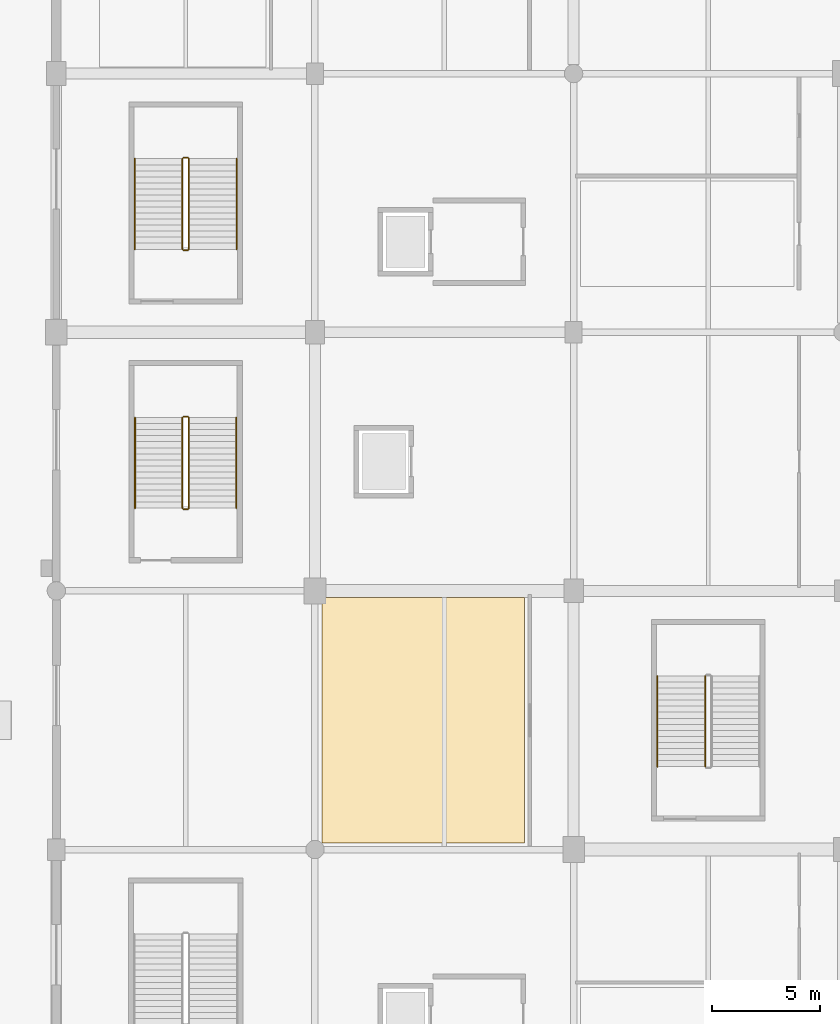
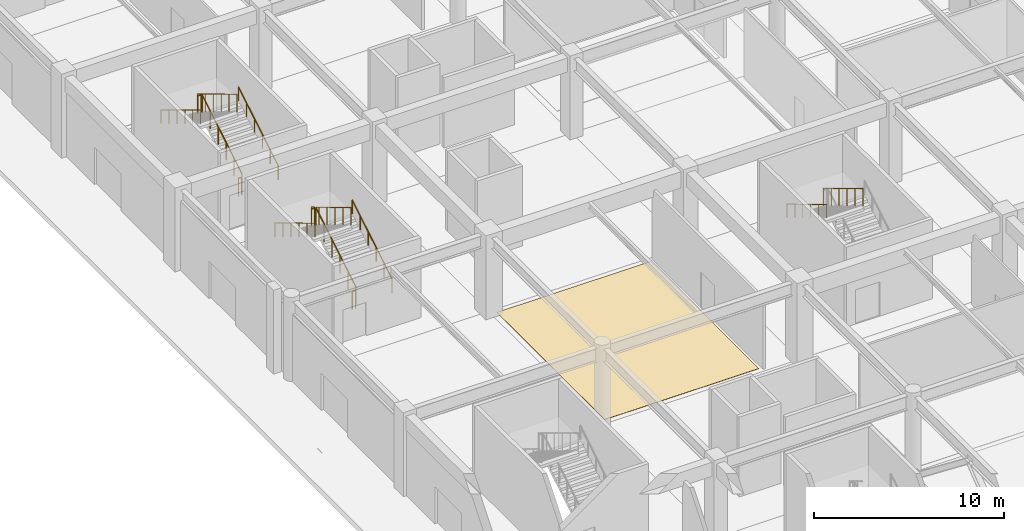
# One storey, part 58 of 69: 14 railings, 1 covering.
"""IFC4 building model written with IfcOpenShell, lengths in metres."""

from ifc_helpers import new_model, si_unit, direction, frame, origin, origin_2d, place, context, subcontext, project, spatial, polyline, circle, outline, extrude, material, layer, layer_set, type_object, element, save


model = new_model("IFC4")

# Units and contexts
model_context = context("Model", 3, precision=1e-05, world=origin(), true_north=direction((0.0, 1.0)))
body_context = subcontext(model_context, "Body", "Model", "MODEL_VIEW")
ifc_project = project(units=[si_unit("LENGTHUNIT", "METRE"), si_unit("AREAUNIT", "SQUARE_METRE"), si_unit("VOLUMEUNIT", "CUBIC_METRE"), si_unit("PLANEANGLEUNIT", "RADIAN"), si_unit("MASSUNIT", "GRAM", prefix="KILO")], contexts=[model_context])

# Site, building, storey
site_placement = place(None, origin())
site = spatial("IfcSite", under=ifc_project, at=site_placement, CompositionType="ELEMENT")
building_placement = place(site_placement, origin())
building = spatial("IfcBuilding", under=site, at=building_placement, Name="Kazenohara Klinker Stadium", CompositionType="ELEMENT")
storey_placement = place(building_placement, origin())
storey = spatial("IfcBuildingStorey", under=building, at=storey_placement, Name="L00", CompositionType="ELEMENT", Elevation=0.0)

# Covering
ifc_material_1 = material(Name="Slip-resistant honed basalt terrazzo flooring", Category="masonry")
ifc_layer_1 = layer(ifc_material_1, 0.02001953125)
ifc_layer_set_1 = layer_set([ifc_layer_1], Name="Slip-resistant honed basalt terrazzo flooring")
covering_type = type_object("IfcCoveringType", Name="COV-FLR-01", PredefinedType="FLOORING", material=ifc_layer_set_1)
covering_placement = place(storey_placement, origin())
element("IfcCovering", 1, at=covering_placement, inside=storey, type_object=covering_type, Name="Interior floor finish FL01 Spectator First-Aid Medical Clinic L00-0110A", PredefinedType="FLOORING", context=body_context, shape_type="SweptSolid", body=[
    extrude(outline(polyline([(12.330078125, 120.31005859375), (21.719970703125, 120.31005859375), (21.719970703125, 131.68994140625), (12.330078125, 131.68994140625), (12.330078125, 120.31005859375)])), origin(), (0.0, 0.0, 1.0), 0.02001953125),
])

# Railings
ifc_material_2 = material(Name="Brushed stainless steel 304 handrail", Category="steel")
ifc_layer_2 = layer(ifc_material_2, 0.050048828125)
ifc_layer_set_2 = layer_set([ifc_layer_2], Name="Brushed stainless steel 304 handrail")
railing_type_1 = type_object("IfcRailingType", Name="RL-HND-900", PredefinedType="HANDRAIL", material=ifc_layer_set_2)
railing_1_placement = place(storey_placement, frame((8.35009765625, 135.840087890625, 0.168701171875)))
element("IfcRailing", 2, at=railing_1_placement, inside=storey, type_object=railing_type_1, Name="L00 ST05 stair handrail 1", PredefinedType="HANDRAIL", context=body_context, shape_type="SweptSolid", body=[
    extrude(circle(Radius=0.02392578125, at=origin_2d()), frame((0.0, 0.0, 0.8759765625), z_axis=(0.0, 0.856476492594, 0.516186030065), x_axis=(-1.0, 0.0, 0.0)), (0.0, 0.0, 1.0), 4.90380859375),
    extrude(circle(Radius=0.02099609375, at=origin_2d()), origin(), (0.0, 0.0, 1.0), 0.851806640625),
    extrude(circle(Radius=0.02099609375, at=origin_2d()), frame((0.0, 0.840087890625, 0.50634765625)), (0.0, 0.0, 1.0), 0.851806640625),
    extrude(circle(Radius=0.02099609375, at=origin_2d()), frame((0.0, 1.679931640625, 1.012451171875)), (0.0, 0.0, 1.0), 0.851806640625),
    extrude(circle(Radius=0.02099609375, at=origin_2d()), frame((0.0, 2.52001953125, 1.518798828125)), (0.0, 0.0, 1.0), 0.851806640625),
    extrude(circle(Radius=0.02099609375, at=origin_2d()), frame((0.0, 3.35986328125, 2.02490234375)), (0.0, 0.0, 1.0), 0.851806640625),
    extrude(circle(Radius=0.02099609375, at=origin_2d()), frame((0.0, 4.199951171875, 2.53125)), (0.0, 0.0, 1.0), 0.851806640625),
])
railing_2_placement = place(storey_placement, frame((3.64990234375, 140.0400390625, 2.86865234375)))
element("IfcRailing", 3, at=railing_2_placement, inside=storey, type_object=railing_type_1, Name="L00 ST05 stair handrail 2", PredefinedType="HANDRAIL", context=body_context, shape_type="SweptSolid", body=[
    extrude(circle(Radius=0.02392578125, at=origin_2d()), frame((0.0, 0.0, 0.8759765625), z_axis=(0.0, -0.856476492594, 0.516186030065), x_axis=(1.0, 0.0, 0.0)), (0.0, 0.0, 1.0), 4.90380859375),
    extrude(circle(Radius=0.02099609375, at=origin_2d()), origin(), (0.0, 0.0, 1.0), 0.851806640625),
    extrude(circle(Radius=0.02099609375, at=origin_2d()), frame((0.0, -0.840087890625, 0.50634765625)), (0.0, 0.0, 1.0), 0.851806640625),
    extrude(circle(Radius=0.02099609375, at=origin_2d()), frame((0.0, -1.679931640625, 1.012451171875)), (0.0, 0.0, 1.0), 0.851806640625),
    extrude(circle(Radius=0.02099609375, at=origin_2d()), frame((0.0, -2.52001953125, 1.518798828125)), (0.0, 0.0, 1.0), 0.851806640625),
    extrude(circle(Radius=0.02099609375, at=origin_2d()), frame((0.0, -3.35986328125, 2.02490234375)), (0.0, 0.0, 1.0), 0.851806640625),
    extrude(circle(Radius=0.02099609375, at=origin_2d()), frame((0.0, -4.199951171875, 2.53125)), (0.0, 0.0, 1.0), 0.851806640625),
])
railing_3_placement = place(storey_placement, frame((8.360107421875, 147.85009765625, 0.168701171875)))
element("IfcRailing", 4, at=railing_3_placement, inside=storey, type_object=railing_type_1, Name="L00 ST06 stair handrail 1", PredefinedType="HANDRAIL", context=body_context, shape_type="SweptSolid", body=[
    extrude(circle(Radius=0.02392578125, at=origin_2d()), frame((0.0, 0.0, 0.8759765625), z_axis=(0.0, 0.856476492594, 0.516186030065), x_axis=(-1.0, 0.0, 0.0)), (0.0, 0.0, 1.0), 4.90380859375),
    extrude(circle(Radius=0.02099609375, at=origin_2d()), origin(), (0.0, 0.0, 1.0), 0.851806640625),
    extrude(circle(Radius=0.02099609375, at=origin_2d()), frame((0.0, 0.840087890625, 0.50634765625)), (0.0, 0.0, 1.0), 0.851806640625),
    extrude(circle(Radius=0.02099609375, at=origin_2d()), frame((0.0, 1.679931640625, 1.012451171875)), (0.0, 0.0, 1.0), 0.851806640625),
    extrude(circle(Radius=0.02099609375, at=origin_2d()), frame((0.0, 2.52001953125, 1.518798828125)), (0.0, 0.0, 1.0), 0.851806640625),
    extrude(circle(Radius=0.02099609375, at=origin_2d()), frame((0.0, 3.35986328125, 2.02490234375)), (0.0, 0.0, 1.0), 0.851806640625),
    extrude(circle(Radius=0.02099609375, at=origin_2d()), frame((0.0, 4.199951171875, 2.53125)), (0.0, 0.0, 1.0), 0.851806640625),
])
for number, where, name in (
    (5, (3.639892578125, 152.050048828125, 2.86865234375), "L00 ST06 stair handrail 2"),
    (6, (27.889892578125, 128.050048828125, 2.86865234375), "L00 ST18 stair handrail 2"),
):
    element("IfcRailing", number, at=place(storey_placement, frame(where)), inside=storey, type_object=railing_type_1, Name=name, PredefinedType="HANDRAIL", context=body_context, shape_type="SweptSolid", body=[
        extrude(circle(Radius=0.02392578125, at=origin_2d()), frame((0.0, 0.0, 0.8759765625), z_axis=(0.0, -0.856476492594, 0.516186030065), x_axis=(1.0, 0.0, 0.0)), (0.0, 0.0, 1.0), 4.90380859375),
        extrude(circle(Radius=0.02099609375, at=origin_2d()), origin(), (0.0, 0.0, 1.0), 0.851806640625),
        extrude(circle(Radius=0.02099609375, at=origin_2d()), frame((0.0, -0.840087890625, 0.50634765625)), (0.0, 0.0, 1.0), 0.851806640625),
        extrude(circle(Radius=0.02099609375, at=origin_2d()), frame((0.0, -1.679931640625, 1.012451171875)), (0.0, 0.0, 1.0), 0.851806640625),
        extrude(circle(Radius=0.02099609375, at=origin_2d()), frame((0.0, -2.52001953125, 1.518798828125)), (0.0, 0.0, 1.0), 0.851806640625),
        extrude(circle(Radius=0.02099609375, at=origin_2d()), frame((0.0, -3.35986328125, 2.02490234375)), (0.0, 0.0, 1.0), 0.851806640625),
        extrude(circle(Radius=0.02099609375, at=origin_2d()), frame((0.0, -4.199951171875, 2.53125)), (0.0, 0.0, 1.0), 0.851806640625),
    ])
ifc_material_3 = material(Name="Painted steel stairwell guardrail", Category="steel")
ifc_layer_3 = layer(ifc_material_3, 0.06005859375)
ifc_layer_set_3 = layer_set([ifc_layer_3], Name="Painted steel stairwell guardrail")
railing_type_2 = type_object("IfcRailingType", Name="RL-STG-1120", PredefinedType="GUARDRAIL", material=ifc_layer_set_3)
railing_4_placement = place(storey_placement, frame((6.14990234375, 135.840087890625, 0.168701171875)))
element("IfcRailing", 7, at=railing_4_placement, inside=storey, type_object=railing_type_2, Name="L00 ST05 stair guard 1", PredefinedType="GUARDRAIL", context=body_context, shape_type="SweptSolid", body=[
    extrude(circle(Radius=0.02392578125, at=origin_2d()), frame((0.0, 0.0, 1.1259765625), z_axis=(0.0, 0.856476492594, 0.516186030065), x_axis=(-1.0, 0.0, 0.0)), (0.0, 0.0, 1.0), 4.90380859375),
    extrude(circle(Radius=0.02099609375, at=origin_2d()), origin(), (0.0, 0.0, 1.0), 1.101806640625),
    extrude(circle(Radius=0.02099609375, at=origin_2d()), frame((0.0, 0.840087890625, 0.50634765625)), (0.0, 0.0, 1.0), 1.101806640625),
    extrude(circle(Radius=0.02099609375, at=origin_2d()), frame((0.0, 1.679931640625, 1.012451171875)), (0.0, 0.0, 1.0), 1.101806640625),
    extrude(circle(Radius=0.02099609375, at=origin_2d()), frame((0.0, 2.52001953125, 1.518798828125)), (0.0, 0.0, 1.0), 1.101806640625),
    extrude(circle(Radius=0.02099609375, at=origin_2d()), frame((0.0, 3.35986328125, 2.02490234375)), (0.0, 0.0, 1.0), 1.101806640625),
    extrude(circle(Radius=0.02099609375, at=origin_2d()), frame((0.0, 4.199951171875, 2.53125)), (0.0, 0.0, 1.0), 1.101806640625),
])
railing_5_placement = place(storey_placement, frame((6.10009765625, 140.090087890625, 2.699951171875)))
element("IfcRailing", 8, at=railing_5_placement, inside=storey, type_object=railing_type_2, Name="L00 ST05 stair guard 2", PredefinedType="GUARDRAIL", context=body_context, shape_type="SweptSolid", body=[
    extrude(circle(Radius=0.02392578125, at=origin_2d()), frame((0.0, 0.0, 1.1259765625), z_axis=(-1.0, 0.0, 0.0), x_axis=(0.0, -1.0, 0.0)), (0.0, 0.0, 1.0), 0.2001953125),
    extrude(circle(Radius=0.02099609375, at=origin_2d()), origin(), (0.0, 0.0, 1.0), 1.101806640625),
    extrude(circle(Radius=0.02099609375, at=origin_2d()), frame((-0.2001953125, 0.0, 0.0)), (0.0, 0.0, 1.0), 1.101806640625),
])
railing_6_placement = place(storey_placement, frame((5.85009765625, 140.0400390625, 2.86865234375)))
element("IfcRailing", 9, at=railing_6_placement, inside=storey, type_object=railing_type_2, Name="L00 ST05 stair guard 3", PredefinedType="GUARDRAIL", context=body_context, shape_type="SweptSolid", body=[
    extrude(circle(Radius=0.02392578125, at=origin_2d()), frame((0.0, 0.0, 1.1259765625), z_axis=(0.0, -0.856476492594, 0.516186030065), x_axis=(1.0, 0.0, 0.0)), (0.0, 0.0, 1.0), 4.90380859375),
    extrude(circle(Radius=0.02099609375, at=origin_2d()), origin(), (0.0, 0.0, 1.0), 1.101806640625),
    extrude(circle(Radius=0.02099609375, at=origin_2d()), frame((0.0, -0.840087890625, 0.50634765625)), (0.0, 0.0, 1.0), 1.101806640625),
    extrude(circle(Radius=0.02099609375, at=origin_2d()), frame((0.0, -1.679931640625, 1.012451171875)), (0.0, 0.0, 1.0), 1.101806640625),
    extrude(circle(Radius=0.02099609375, at=origin_2d()), frame((0.0, -2.52001953125, 1.518798828125)), (0.0, 0.0, 1.0), 1.101806640625),
    extrude(circle(Radius=0.02099609375, at=origin_2d()), frame((0.0, -3.35986328125, 2.02490234375)), (0.0, 0.0, 1.0), 1.101806640625),
    extrude(circle(Radius=0.02099609375, at=origin_2d()), frame((0.0, -4.199951171875, 2.53125)), (0.0, 0.0, 1.0), 1.101806640625),
])
railing_7_placement = place(storey_placement, frame((6.10009765625, 135.7900390625, 0.0)))
element("IfcRailing", 10, at=railing_7_placement, inside=storey, type_object=railing_type_2, Name="L00 ST05 stair guard 4", PredefinedType="GUARDRAIL", context=body_context, shape_type="SweptSolid", body=[
    extrude(circle(Radius=0.02392578125, at=origin_2d()), frame((0.0, 0.0, 1.1259765625), z_axis=(-1.0, 0.0, 0.0), x_axis=(0.0, -1.0, 0.0)), (0.0, 0.0, 1.0), 0.2001953125),
    extrude(circle(Radius=0.02099609375, at=origin_2d()), origin(), (0.0, 0.0, 1.0), 1.101806640625),
    extrude(circle(Radius=0.02099609375, at=origin_2d()), frame((-0.2001953125, 0.0, 0.0)), (0.0, 0.0, 1.0), 1.101806640625),
])
railing_8_placement = place(storey_placement, frame((6.14990234375, 147.85009765625, 0.168701171875)))
element("IfcRailing", 11, at=railing_8_placement, inside=storey, type_object=railing_type_2, Name="L00 ST06 stair guard 1", PredefinedType="GUARDRAIL", context=body_context, shape_type="SweptSolid", body=[
    extrude(circle(Radius=0.02392578125, at=origin_2d()), frame((0.0, 0.0, 1.1259765625), z_axis=(0.0, 0.856476492594, 0.516186030065), x_axis=(-1.0, 0.0, 0.0)), (0.0, 0.0, 1.0), 4.90380859375),
    extrude(circle(Radius=0.02099609375, at=origin_2d()), origin(), (0.0, 0.0, 1.0), 1.101806640625),
    extrude(circle(Radius=0.02099609375, at=origin_2d()), frame((0.0, 0.840087890625, 0.50634765625)), (0.0, 0.0, 1.0), 1.101806640625),
    extrude(circle(Radius=0.02099609375, at=origin_2d()), frame((0.0, 1.679931640625, 1.012451171875)), (0.0, 0.0, 1.0), 1.101806640625),
    extrude(circle(Radius=0.02099609375, at=origin_2d()), frame((0.0, 2.52001953125, 1.518798828125)), (0.0, 0.0, 1.0), 1.101806640625),
    extrude(circle(Radius=0.02099609375, at=origin_2d()), frame((0.0, 3.35986328125, 2.02490234375)), (0.0, 0.0, 1.0), 1.101806640625),
    extrude(circle(Radius=0.02099609375, at=origin_2d()), frame((0.0, 4.199951171875, 2.53125)), (0.0, 0.0, 1.0), 1.101806640625),
])
railing_9_placement = place(storey_placement, frame((6.10009765625, 152.10009765625, 2.699951171875)))
element("IfcRailing", 12, at=railing_9_placement, inside=storey, type_object=railing_type_2, Name="L00 ST06 stair guard 2", PredefinedType="GUARDRAIL", context=body_context, shape_type="SweptSolid", body=[
    extrude(circle(Radius=0.02392578125, at=origin_2d()), frame((0.0, 0.0, 1.1259765625), z_axis=(-1.0, 0.0, 0.0), x_axis=(0.0, -1.0, 0.0)), (0.0, 0.0, 1.0), 0.2001953125),
    extrude(circle(Radius=0.02099609375, at=origin_2d()), origin(), (0.0, 0.0, 1.0), 1.101806640625),
    extrude(circle(Radius=0.02099609375, at=origin_2d()), frame((-0.2001953125, 0.0, 0.0)), (0.0, 0.0, 1.0), 1.101806640625),
])
railing_10_placement = place(storey_placement, frame((5.85009765625, 152.050048828125, 2.86865234375)))
element("IfcRailing", 13, at=railing_10_placement, inside=storey, type_object=railing_type_2, Name="L00 ST06 stair guard 3", PredefinedType="GUARDRAIL", context=body_context, shape_type="SweptSolid", body=[
    extrude(circle(Radius=0.02392578125, at=origin_2d()), frame((0.0, 0.0, 1.1259765625), z_axis=(0.0, -0.856476492594, 0.516186030065), x_axis=(1.0, 0.0, 0.0)), (0.0, 0.0, 1.0), 4.90380859375),
    extrude(circle(Radius=0.02099609375, at=origin_2d()), origin(), (0.0, 0.0, 1.0), 1.101806640625),
    extrude(circle(Radius=0.02099609375, at=origin_2d()), frame((0.0, -0.840087890625, 0.50634765625)), (0.0, 0.0, 1.0), 1.101806640625),
    extrude(circle(Radius=0.02099609375, at=origin_2d()), frame((0.0, -1.679931640625, 1.012451171875)), (0.0, 0.0, 1.0), 1.101806640625),
    extrude(circle(Radius=0.02099609375, at=origin_2d()), frame((0.0, -2.52001953125, 1.518798828125)), (0.0, 0.0, 1.0), 1.101806640625),
    extrude(circle(Radius=0.02099609375, at=origin_2d()), frame((0.0, -3.35986328125, 2.02490234375)), (0.0, 0.0, 1.0), 1.101806640625),
    extrude(circle(Radius=0.02099609375, at=origin_2d()), frame((0.0, -4.199951171875, 2.53125)), (0.0, 0.0, 1.0), 1.101806640625),
])
railing_11_placement = place(storey_placement, frame((6.10009765625, 147.800048828125, 0.0)))
element("IfcRailing", 14, at=railing_11_placement, inside=storey, type_object=railing_type_2, Name="L00 ST06 stair guard 4", PredefinedType="GUARDRAIL", context=body_context, shape_type="SweptSolid", body=[
    extrude(circle(Radius=0.02392578125, at=origin_2d()), frame((0.0, 0.0, 1.1259765625), z_axis=(-1.0, 0.0, 0.0), x_axis=(0.0, -1.0, 0.0)), (0.0, 0.0, 1.0), 0.2001953125),
    extrude(circle(Radius=0.02099609375, at=origin_2d()), origin(), (0.0, 0.0, 1.0), 1.101806640625),
    extrude(circle(Radius=0.02099609375, at=origin_2d()), frame((-0.2001953125, 0.0, 0.0)), (0.0, 0.0, 1.0), 1.101806640625),
])
railing_12_placement = place(storey_placement, frame((30.10009765625, 128.050048828125, 2.86865234375)))
element("IfcRailing", 15, at=railing_12_placement, inside=storey, type_object=railing_type_2, Name="L00 ST18 stair guard 3", PredefinedType="GUARDRAIL", context=body_context, shape_type="SweptSolid", body=[
    extrude(circle(Radius=0.02392578125, at=origin_2d()), frame((0.0, 0.0, 1.1259765625), z_axis=(0.0, -0.856476492594, 0.516186030065), x_axis=(1.0, 0.0, 0.0)), (0.0, 0.0, 1.0), 4.90380859375),
    extrude(circle(Radius=0.02099609375, at=origin_2d()), origin(), (0.0, 0.0, 1.0), 1.101806640625),
    extrude(circle(Radius=0.02099609375, at=origin_2d()), frame((0.0, -0.840087890625, 0.50634765625)), (0.0, 0.0, 1.0), 1.101806640625),
    extrude(circle(Radius=0.02099609375, at=origin_2d()), frame((0.0, -1.679931640625, 1.012451171875)), (0.0, 0.0, 1.0), 1.101806640625),
    extrude(circle(Radius=0.02099609375, at=origin_2d()), frame((0.0, -2.52001953125, 1.518798828125)), (0.0, 0.0, 1.0), 1.101806640625),
    extrude(circle(Radius=0.02099609375, at=origin_2d()), frame((0.0, -3.35986328125, 2.02490234375)), (0.0, 0.0, 1.0), 1.101806640625),
    extrude(circle(Radius=0.02099609375, at=origin_2d()), frame((0.0, -4.199951171875, 2.53125)), (0.0, 0.0, 1.0), 1.101806640625),
])

save(model, "model.ifc")
